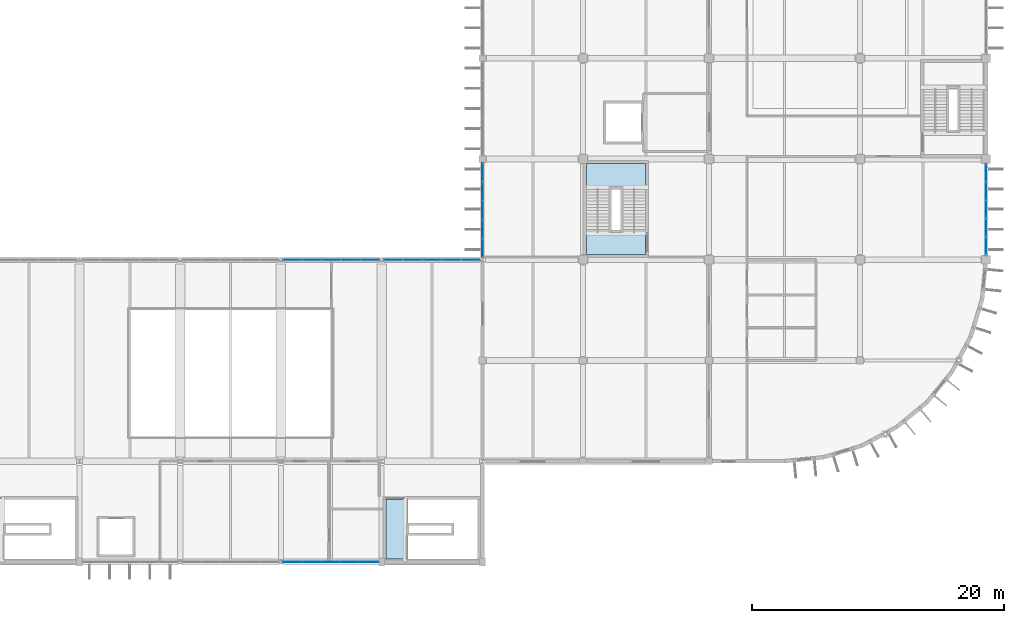
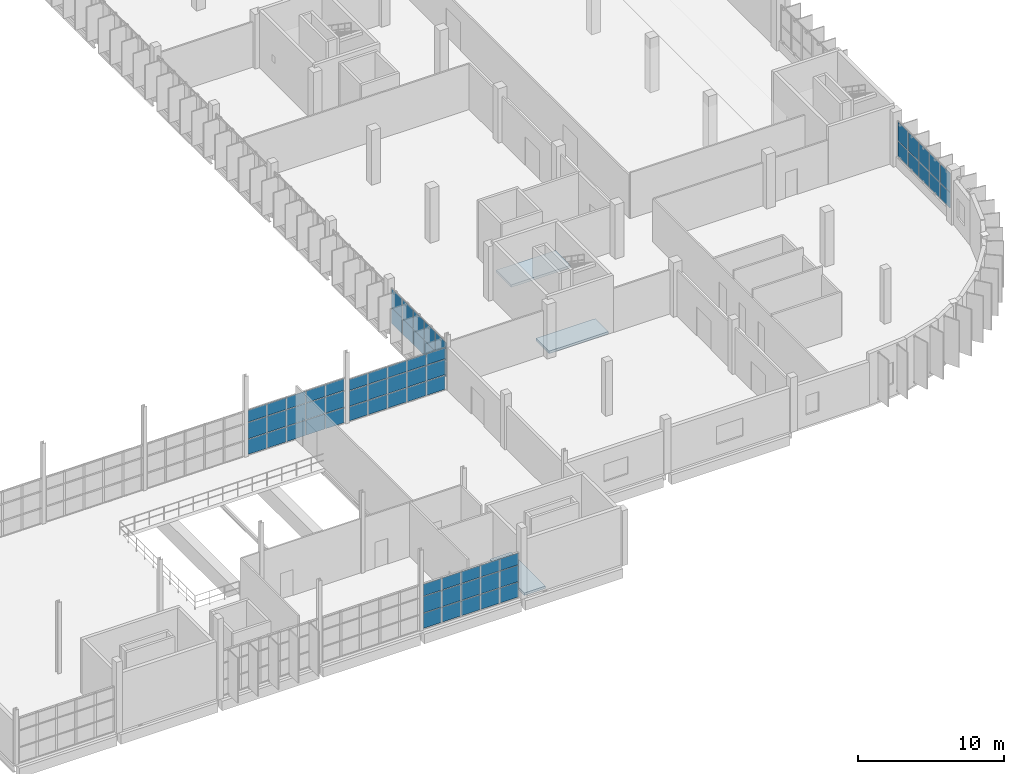
# One storey, part 60 of 93: 65 plates, 3 slabs, 6 elements without a shape of their own.
"""IFC4 building model written with IfcOpenShell, lengths in metres."""

from ifc_helpers import new_model, si_unit, direction, frame, origin, origin_2d, place, context, subcontext, project, spatial, polyline, rectangle, outline, extrude, material, layer, layer_set, type_object, element, aggregate, save


model = new_model("IFC4")

# Units and contexts
model_context = context("Model", 3, precision=1e-05, world=origin(), true_north=direction((0.0, 1.0)))
body_context = subcontext(model_context, "Body", "Model", "MODEL_VIEW")
ifc_project = project(units=[si_unit("LENGTHUNIT", "METRE"), si_unit("AREAUNIT", "SQUARE_METRE"), si_unit("VOLUMEUNIT", "CUBIC_METRE"), si_unit("PLANEANGLEUNIT", "RADIAN"), si_unit("MASSUNIT", "GRAM", prefix="KILO")], contexts=[model_context])

# Site, building, storey
site_placement = place(None, origin())
site = spatial("IfcSite", under=ifc_project, at=site_placement, CompositionType="ELEMENT")
building_placement = place(site_placement, origin())
building = spatial("IfcBuilding", under=site, at=building_placement, Name="Drelvana Railside Aquatics Centre", CompositionType="ELEMENT")
storey_placement = place(building_placement, frame((0.0, 0.0, 5.39990234375)))
storey = spatial("IfcBuildingStorey", under=building, at=storey_placement, Name="L01", CompositionType="ELEMENT", Elevation=5.39990234375)

# Curtain wall, plates
ifc_material_1 = material(Name="Bronze-anodised aluminium curtain wall", Category="aluminium")
ifc_layer_1 = layer(ifc_material_1, 0.18994140625, Name="Bronze-anodised aluminium curtain wall")
ifc_layer_set_1 = layer_set([ifc_layer_1], Name="Bronze-anodised aluminium curtain wall")
curtain_wall_type_1 = type_object("IfcCurtainWallType", Name="CW-Z4-FOYER", PredefinedType="NOTDEFINED", material=ifc_layer_set_1)
curtain_wall_1_placement = place(storey_placement, origin())
curtain_wall_1 = element("IfcCurtainWall", 1, at=curtain_wall_1_placement, inside=storey, type_object=curtain_wall_type_1, Name="Curtain wall CW-04-110", PredefinedType="NOTDEFINED")
ifc_material_2 = material(Name="Double-glazed low-e solar-control glass", Category="glass")
ifc_layer_2 = layer(ifc_material_2, 0.030029296875, Name="Double-glazed low-e solar-control glass")
ifc_layer_set_2 = layer_set([ifc_layer_2], Name="Double-glazed low-e solar-control glass")
plate_type_1 = type_object("IfcPlateType", Name="CW-Z4-FOYER-PAN", PredefinedType="CURTAIN_PANEL", material=ifc_layer_set_2)
plate_1_placement = place(storey_placement, frame((128.9150390625, 0.0, 0.05419921875), z_axis=(0.0, 0.0, 1.0), x_axis=(1.0, 0.0, 0.0)))
plate_1 = element("IfcPlate", 2, at=plate_1_placement, type_object=plate_type_1, Name="CW-04 panel 1.1", PredefinedType="CURTAIN_PANEL", context=body_context, shape_type="SweptSolid", body=[
    extrude(rectangle(XDim=1.44189453125, YDim=0.030029296875, at=origin_2d()), origin(), (0.0, 0.0, 1.0), 1.244384765625),
])
plate_2_placement = place(storey_placement, frame((128.9150390625, 0.0, 1.353515625), z_axis=(0.0, 0.0, 1.0), x_axis=(1.0, 0.0, 0.0)))
plate_2 = element("IfcPlate", 3, at=plate_2_placement, type_object=plate_type_1, Name="CW-04 panel 1.2", PredefinedType="CURTAIN_PANEL", context=body_context, shape_type="SweptSolid", body=[
    extrude(rectangle(XDim=1.44189453125, YDim=0.030029296875, at=origin_2d()), origin(), (0.0, 0.0, 1.0), 1.35302734375),
])
plate_3_placement = place(storey_placement, frame((128.9150390625, 0.0, 2.761474609375), z_axis=(0.0, 0.0, 1.0), x_axis=(1.0, 0.0, 0.0)))
plate_3 = element("IfcPlate", 4, at=plate_3_placement, type_object=plate_type_1, Name="CW-04 panel 1.3", PredefinedType="CURTAIN_PANEL", context=body_context, shape_type="SweptSolid", body=[
    extrude(rectangle(XDim=1.44189453125, YDim=0.030029296875, at=origin_2d()), origin(), (0.0, 0.0, 1.0), 0.978515625),
])
plate_4_placement = place(storey_placement, frame((130.427978515625, 0.0, 0.05419921875), z_axis=(0.0, 0.0, 1.0), x_axis=(1.0, 0.0, 0.0)))
plate_4 = element("IfcPlate", 5, at=plate_4_placement, type_object=plate_type_1, Name="CW-04 panel 2.1", PredefinedType="CURTAIN_PANEL", context=body_context, shape_type="SweptSolid", body=[
    extrude(rectangle(XDim=1.474365234375, YDim=0.030029296875, at=origin_2d()), origin(), (0.0, 0.0, 1.0), 1.244384765625),
])
plate_5_placement = place(storey_placement, frame((130.427978515625, 0.0, 1.353515625), z_axis=(0.0, 0.0, 1.0), x_axis=(1.0, 0.0, 0.0)))
plate_5 = element("IfcPlate", 6, at=plate_5_placement, type_object=plate_type_1, Name="CW-04 panel 2.2", PredefinedType="CURTAIN_PANEL", context=body_context, shape_type="SweptSolid", body=[
    extrude(rectangle(XDim=1.474365234375, YDim=0.030029296875, at=origin_2d()), origin(), (0.0, 0.0, 1.0), 1.35302734375),
])
plate_6_placement = place(storey_placement, frame((130.427978515625, 0.0, 2.761474609375), z_axis=(0.0, 0.0, 1.0), x_axis=(1.0, 0.0, 0.0)))
plate_6 = element("IfcPlate", 7, at=plate_6_placement, type_object=plate_type_1, Name="CW-04 panel 2.3", PredefinedType="CURTAIN_PANEL", context=body_context, shape_type="SweptSolid", body=[
    extrude(rectangle(XDim=1.474365234375, YDim=0.030029296875, at=origin_2d()), origin(), (0.0, 0.0, 1.0), 0.978515625),
])
plate_7_placement = place(storey_placement, frame((131.95751953125, 0.0, 0.05419921875), z_axis=(0.0, 0.0, 1.0), x_axis=(1.0, 0.0, 0.0)))
plate_7 = element("IfcPlate", 8, at=plate_7_placement, type_object=plate_type_1, Name="CW-04 panel 3.1", PredefinedType="CURTAIN_PANEL", context=body_context, shape_type="SweptSolid", body=[
    extrude(rectangle(XDim=1.474365234375, YDim=0.030029296875, at=origin_2d()), origin(), (0.0, 0.0, 1.0), 1.244384765625),
])
plate_8_placement = place(storey_placement, frame((131.95751953125, 0.0, 1.353515625), z_axis=(0.0, 0.0, 1.0), x_axis=(1.0, 0.0, 0.0)))
plate_8 = element("IfcPlate", 9, at=plate_8_placement, type_object=plate_type_1, Name="CW-04 panel 3.2", PredefinedType="CURTAIN_PANEL", context=body_context, shape_type="SweptSolid", body=[
    extrude(rectangle(XDim=1.474365234375, YDim=0.030029296875, at=origin_2d()), origin(), (0.0, 0.0, 1.0), 1.35302734375),
])
plate_9_placement = place(storey_placement, frame((131.95751953125, 0.0, 2.761474609375), z_axis=(0.0, 0.0, 1.0), x_axis=(1.0, 0.0, 0.0)))
plate_9 = element("IfcPlate", 10, at=plate_9_placement, type_object=plate_type_1, Name="CW-04 panel 3.3", PredefinedType="CURTAIN_PANEL", context=body_context, shape_type="SweptSolid", body=[
    extrude(rectangle(XDim=1.474365234375, YDim=0.030029296875, at=origin_2d()), origin(), (0.0, 0.0, 1.0), 0.978515625),
])
plate_10_placement = place(storey_placement, frame((133.48681640625, 0.0, 0.05419921875), z_axis=(0.0, 0.0, 1.0), x_axis=(1.0, 0.0, 0.0)))
plate_10 = element("IfcPlate", 11, at=plate_10_placement, type_object=plate_type_1, Name="CW-04 panel 4.1", PredefinedType="CURTAIN_PANEL", context=body_context, shape_type="SweptSolid", body=[
    extrude(rectangle(XDim=1.474365234375, YDim=0.030029296875, at=origin_2d()), origin(), (0.0, 0.0, 1.0), 1.244384765625),
])
plate_11_placement = place(storey_placement, frame((133.48681640625, 0.0, 1.353515625), z_axis=(0.0, 0.0, 1.0), x_axis=(1.0, 0.0, 0.0)))
plate_11 = element("IfcPlate", 12, at=plate_11_placement, type_object=plate_type_1, Name="CW-04 panel 4.2", PredefinedType="CURTAIN_PANEL", context=body_context, shape_type="SweptSolid", body=[
    extrude(rectangle(XDim=1.474365234375, YDim=0.030029296875, at=origin_2d()), origin(), (0.0, 0.0, 1.0), 1.35302734375),
])
plate_12_placement = place(storey_placement, frame((133.48681640625, 0.0, 2.761474609375), z_axis=(0.0, 0.0, 1.0), x_axis=(1.0, 0.0, 0.0)))
plate_12 = element("IfcPlate", 13, at=plate_12_placement, type_object=plate_type_1, Name="CW-04 panel 4.3", PredefinedType="CURTAIN_PANEL", context=body_context, shape_type="SweptSolid", body=[
    extrude(rectangle(XDim=1.474365234375, YDim=0.030029296875, at=origin_2d()), origin(), (0.0, 0.0, 1.0), 0.978515625),
])
plate_13_placement = place(storey_placement, frame((135.0, 0.0, 0.05419921875), z_axis=(0.0, 0.0, 1.0), x_axis=(1.0, 0.0, 0.0)))
plate_13 = element("IfcPlate", 14, at=plate_13_placement, type_object=plate_type_1, Name="CW-04 panel 5.1", PredefinedType="CURTAIN_PANEL", context=body_context, shape_type="SweptSolid", body=[
    extrude(rectangle(XDim=1.44189453125, YDim=0.030029296875, at=origin_2d()), origin(), (0.0, 0.0, 1.0), 1.244384765625),
])
plate_14_placement = place(storey_placement, frame((135.0, 0.0, 1.353515625), z_axis=(0.0, 0.0, 1.0), x_axis=(1.0, 0.0, 0.0)))
plate_14 = element("IfcPlate", 15, at=plate_14_placement, type_object=plate_type_1, Name="CW-04 panel 5.2", PredefinedType="CURTAIN_PANEL", context=body_context, shape_type="SweptSolid", body=[
    extrude(rectangle(XDim=1.44189453125, YDim=0.030029296875, at=origin_2d()), origin(), (0.0, 0.0, 1.0), 1.35302734375),
])
plate_15_placement = place(storey_placement, frame((135.0, 0.0, 2.761474609375), z_axis=(0.0, 0.0, 1.0), x_axis=(1.0, 0.0, 0.0)))
plate_15 = element("IfcPlate", 16, at=plate_15_placement, type_object=plate_type_1, Name="CW-04 panel 5.3", PredefinedType="CURTAIN_PANEL", context=body_context, shape_type="SweptSolid", body=[
    extrude(rectangle(XDim=1.44189453125, YDim=0.030029296875, at=origin_2d()), origin(), (0.0, 0.0, 1.0), 0.978515625),
])
aggregate(curtain_wall_1, [plate_1, plate_2, plate_3, plate_4, plate_5, plate_6, plate_7, plate_8, plate_9, plate_10, plate_11, plate_12, plate_13, plate_14, plate_15])

ifc_layer_3 = layer(ifc_material_1, 0.1650390625, Name="Bronze-anodised aluminium curtain wall")
ifc_layer_set_3 = layer_set([ifc_layer_3], Name="Bronze-anodised aluminium curtain wall")
curtain_wall_type_2 = type_object("IfcCurtainWallType", Name="CW-Z5-COURT", PredefinedType="NOTDEFINED", material=ifc_layer_set_3)
curtain_wall_2_placement = place(storey_placement, origin())
curtain_wall_2 = element("IfcCurtainWall", 17, at=curtain_wall_2_placement, inside=storey, type_object=curtain_wall_type_2, Name="Curtain wall CW-05-112", PredefinedType="NOTDEFINED")
ifc_layer_4 = layer(ifc_material_2, 0.02587890625, Name="Double-glazed low-e solar-control glass")
ifc_layer_set_4 = layer_set([ifc_layer_4], Name="Double-glazed low-e solar-control glass")
plate_type_2 = type_object("IfcPlateType", Name="CW-Z5-COURT-PAN", PredefinedType="CURTAIN_PANEL", material=ifc_layer_set_4)
plate_16_placement = place(storey_placement, frame((128.93017578125, 24.0, 0.049072265625), z_axis=(0.0, 0.0, 1.0), x_axis=(1.0, 0.0, 0.0)))
plate_16 = element("IfcPlate", 18, at=plate_16_placement, type_object=plate_type_2, Name="CW-05 panel 1.1", PredefinedType="CURTAIN_PANEL", context=body_context, shape_type="SweptSolid", body=[
    extrude(rectangle(XDim=1.46240234375, YDim=0.02587890625, at=origin_2d()), origin(), (0.0, 0.0, 1.0), 1.251953125),
])
plate_17_placement = place(storey_placement, frame((128.93017578125, 24.0, 1.35107421875), z_axis=(0.0, 0.0, 1.0), x_axis=(1.0, 0.0, 0.0)))
plate_17 = element("IfcPlate", 19, at=plate_17_placement, type_object=plate_type_2, Name="CW-05 panel 1.2", PredefinedType="CURTAIN_PANEL", context=body_context, shape_type="SweptSolid", body=[
    extrude(rectangle(XDim=1.46240234375, YDim=0.02587890625, at=origin_2d()), origin(), (0.0, 0.0, 1.0), 1.35791015625),
])
plate_18_placement = place(storey_placement, frame((128.93017578125, 24.0, 2.75927734375), z_axis=(0.0, 0.0, 1.0), x_axis=(1.0, 0.0, 0.0)))
plate_18 = element("IfcPlate", 20, at=plate_18_placement, type_object=plate_type_2, Name="CW-05 panel 1.3", PredefinedType="CURTAIN_PANEL", context=body_context, shape_type="SweptSolid", body=[
    extrude(rectangle(XDim=1.46240234375, YDim=0.02587890625, at=origin_2d()), origin(), (0.0, 0.0, 1.0), 0.986083984375),
])
plate_19_placement = place(storey_placement, frame((130.45751953125, 24.0, 0.049072265625), z_axis=(0.0, 0.0, 1.0), x_axis=(1.0, 0.0, 0.0)))
plate_19 = element("IfcPlate", 21, at=plate_19_placement, type_object=plate_type_2, Name="CW-05 panel 2.1", PredefinedType="CURTAIN_PANEL", context=body_context, shape_type="SweptSolid", body=[
    extrude(rectangle(XDim=1.492431640625, YDim=0.02587890625, at=origin_2d()), origin(), (0.0, 0.0, 1.0), 1.251953125),
])
plate_20_placement = place(storey_placement, frame((130.45751953125, 24.0, 1.35107421875), z_axis=(0.0, 0.0, 1.0), x_axis=(1.0, 0.0, 0.0)))
plate_20 = element("IfcPlate", 22, at=plate_20_placement, type_object=plate_type_2, Name="CW-05 panel 2.2", PredefinedType="CURTAIN_PANEL", context=body_context, shape_type="SweptSolid", body=[
    extrude(rectangle(XDim=1.492431640625, YDim=0.02587890625, at=origin_2d()), origin(), (0.0, 0.0, 1.0), 1.35791015625),
])
plate_21_placement = place(storey_placement, frame((130.45751953125, 24.0, 2.75927734375), z_axis=(0.0, 0.0, 1.0), x_axis=(1.0, 0.0, 0.0)))
plate_21 = element("IfcPlate", 23, at=plate_21_placement, type_object=plate_type_2, Name="CW-05 panel 2.3", PredefinedType="CURTAIN_PANEL", context=body_context, shape_type="SweptSolid", body=[
    extrude(rectangle(XDim=1.492431640625, YDim=0.02587890625, at=origin_2d()), origin(), (0.0, 0.0, 1.0), 0.986083984375),
])
plate_22_placement = place(storey_placement, frame((132.0, 24.0, 0.049072265625), z_axis=(0.0, 0.0, 1.0), x_axis=(1.0, 0.0, 0.0)))
plate_22 = element("IfcPlate", 24, at=plate_22_placement, type_object=plate_type_2, Name="CW-05 panel 3.1", PredefinedType="CURTAIN_PANEL", context=body_context, shape_type="SweptSolid", body=[
    extrude(rectangle(XDim=1.492431640625, YDim=0.02587890625, at=origin_2d()), origin(), (0.0, 0.0, 1.0), 1.251953125),
])
plate_23_placement = place(storey_placement, frame((132.0, 24.0, 1.35107421875), z_axis=(0.0, 0.0, 1.0), x_axis=(1.0, 0.0, 0.0)))
plate_23 = element("IfcPlate", 25, at=plate_23_placement, type_object=plate_type_2, Name="CW-05 panel 3.2", PredefinedType="CURTAIN_PANEL", context=body_context, shape_type="SweptSolid", body=[
    extrude(rectangle(XDim=1.492431640625, YDim=0.02587890625, at=origin_2d()), origin(), (0.0, 0.0, 1.0), 1.35791015625),
])
plate_24_placement = place(storey_placement, frame((132.0, 24.0, 2.75927734375), z_axis=(0.0, 0.0, 1.0), x_axis=(1.0, 0.0, 0.0)))
plate_24 = element("IfcPlate", 26, at=plate_24_placement, type_object=plate_type_2, Name="CW-05 panel 3.3", PredefinedType="CURTAIN_PANEL", context=body_context, shape_type="SweptSolid", body=[
    extrude(rectangle(XDim=1.492431640625, YDim=0.02587890625, at=origin_2d()), origin(), (0.0, 0.0, 1.0), 0.986083984375),
])
plate_25_placement = place(storey_placement, frame((133.54248046875, 24.0, 0.049072265625), z_axis=(0.0, 0.0, 1.0), x_axis=(1.0, 0.0, 0.0)))
plate_25 = element("IfcPlate", 27, at=plate_25_placement, type_object=plate_type_2, Name="CW-05 panel 4.1", PredefinedType="CURTAIN_PANEL", context=body_context, shape_type="SweptSolid", body=[
    extrude(rectangle(XDim=1.492431640625, YDim=0.02587890625, at=origin_2d()), origin(), (0.0, 0.0, 1.0), 1.251953125),
])
plate_26_placement = place(storey_placement, frame((133.54248046875, 24.0, 1.35107421875), z_axis=(0.0, 0.0, 1.0), x_axis=(1.0, 0.0, 0.0)))
plate_26 = element("IfcPlate", 28, at=plate_26_placement, type_object=plate_type_2, Name="CW-05 panel 4.2", PredefinedType="CURTAIN_PANEL", context=body_context, shape_type="SweptSolid", body=[
    extrude(rectangle(XDim=1.492431640625, YDim=0.02587890625, at=origin_2d()), origin(), (0.0, 0.0, 1.0), 1.35791015625),
])
plate_27_placement = place(storey_placement, frame((133.54248046875, 24.0, 2.75927734375), z_axis=(0.0, 0.0, 1.0), x_axis=(1.0, 0.0, 0.0)))
plate_27 = element("IfcPlate", 29, at=plate_27_placement, type_object=plate_type_2, Name="CW-05 panel 4.3", PredefinedType="CURTAIN_PANEL", context=body_context, shape_type="SweptSolid", body=[
    extrude(rectangle(XDim=1.492431640625, YDim=0.02587890625, at=origin_2d()), origin(), (0.0, 0.0, 1.0), 0.986083984375),
])
plate_28_placement = place(storey_placement, frame((135.06982421875, 24.0, 0.049072265625), z_axis=(0.0, 0.0, 1.0), x_axis=(1.0, 0.0, 0.0)))
plate_28 = element("IfcPlate", 30, at=plate_28_placement, type_object=plate_type_2, Name="CW-05 panel 5.1", PredefinedType="CURTAIN_PANEL", context=body_context, shape_type="SweptSolid", body=[
    extrude(rectangle(XDim=1.46240234375, YDim=0.02587890625, at=origin_2d()), origin(), (0.0, 0.0, 1.0), 1.251953125),
])
plate_29_placement = place(storey_placement, frame((135.06982421875, 24.0, 1.35107421875), z_axis=(0.0, 0.0, 1.0), x_axis=(1.0, 0.0, 0.0)))
plate_29 = element("IfcPlate", 31, at=plate_29_placement, type_object=plate_type_2, Name="CW-05 panel 5.2", PredefinedType="CURTAIN_PANEL", context=body_context, shape_type="SweptSolid", body=[
    extrude(rectangle(XDim=1.46240234375, YDim=0.02587890625, at=origin_2d()), origin(), (0.0, 0.0, 1.0), 1.35791015625),
])
plate_30_placement = place(storey_placement, frame((135.06982421875, 24.0, 2.75927734375), z_axis=(0.0, 0.0, 1.0), x_axis=(1.0, 0.0, 0.0)))
plate_30 = element("IfcPlate", 32, at=plate_30_placement, type_object=plate_type_2, Name="CW-05 panel 5.3", PredefinedType="CURTAIN_PANEL", context=body_context, shape_type="SweptSolid", body=[
    extrude(rectangle(XDim=1.46240234375, YDim=0.02587890625, at=origin_2d()), origin(), (0.0, 0.0, 1.0), 0.986083984375),
])
aggregate(curtain_wall_2, [plate_16, plate_17, plate_18, plate_19, plate_20, plate_21, plate_22, plate_23, plate_24, plate_25, plate_26, plate_27, plate_28, plate_29, plate_30])

curtain_wall_3_placement = place(storey_placement, origin())
curtain_wall_3 = element("IfcCurtainWall", 33, at=curtain_wall_3_placement, inside=storey, type_object=curtain_wall_type_2, Name="Curtain wall CW-05-114", PredefinedType="NOTDEFINED")
plate_31_placement = place(storey_placement, frame((136.93017578125, 24.0, 0.048828125), z_axis=(0.0, 0.0, 1.0), x_axis=(1.0, 0.0, 0.0)))
plate_31 = element("IfcPlate", 34, at=plate_31_placement, type_object=plate_type_2, Name="CW-05 panel 1.1", PredefinedType="CURTAIN_PANEL", context=body_context, shape_type="SweptSolid", body=[
    extrude(rectangle(XDim=1.46240234375, YDim=0.02587890625, at=origin_2d()), origin(), (0.0, 0.0, 1.0), 1.172119140625),
])
plate_32_placement = place(storey_placement, frame((136.93017578125, 24.0, 1.271240234375), z_axis=(0.0, 0.0, 1.0), x_axis=(1.0, 0.0, 0.0)))
plate_32 = element("IfcPlate", 35, at=plate_32_placement, type_object=plate_type_2, Name="CW-05 panel 1.2", PredefinedType="CURTAIN_PANEL", context=body_context, shape_type="SweptSolid", body=[
    extrude(rectangle(XDim=1.46240234375, YDim=0.02587890625, at=origin_2d()), origin(), (0.0, 0.0, 1.0), 1.27294921875),
])
plate_33_placement = place(storey_placement, frame((136.93017578125, 24.0, 2.59423828125), z_axis=(0.0, 0.0, 1.0), x_axis=(1.0, 0.0, 0.0)))
plate_33 = element("IfcPlate", 36, at=plate_33_placement, type_object=plate_type_2, Name="CW-05 panel 1.3", PredefinedType="CURTAIN_PANEL", context=body_context, shape_type="SweptSolid", body=[
    extrude(rectangle(XDim=1.46240234375, YDim=0.02587890625, at=origin_2d()), origin(), (0.0, 0.0, 1.0), 0.9208984375),
])
plate_34_placement = place(storey_placement, frame((138.45751953125, 24.0, 0.048828125), z_axis=(0.0, 0.0, 1.0), x_axis=(1.0, 0.0, 0.0)))
plate_34 = element("IfcPlate", 37, at=plate_34_placement, type_object=plate_type_2, Name="CW-05 panel 2.1", PredefinedType="CURTAIN_PANEL", context=body_context, shape_type="SweptSolid", body=[
    extrude(rectangle(XDim=1.492431640625, YDim=0.02587890625, at=origin_2d()), origin(), (0.0, 0.0, 1.0), 1.172119140625),
])
plate_35_placement = place(storey_placement, frame((138.45751953125, 24.0, 1.271240234375), z_axis=(0.0, 0.0, 1.0), x_axis=(1.0, 0.0, 0.0)))
plate_35 = element("IfcPlate", 38, at=plate_35_placement, type_object=plate_type_2, Name="CW-05 panel 2.2", PredefinedType="CURTAIN_PANEL", context=body_context, shape_type="SweptSolid", body=[
    extrude(rectangle(XDim=1.492431640625, YDim=0.02587890625, at=origin_2d()), origin(), (0.0, 0.0, 1.0), 1.27294921875),
])
plate_36_placement = place(storey_placement, frame((138.45751953125, 24.0, 2.59423828125), z_axis=(0.0, 0.0, 1.0), x_axis=(1.0, 0.0, 0.0)))
plate_36 = element("IfcPlate", 39, at=plate_36_placement, type_object=plate_type_2, Name="CW-05 panel 2.3", PredefinedType="CURTAIN_PANEL", context=body_context, shape_type="SweptSolid", body=[
    extrude(rectangle(XDim=1.492431640625, YDim=0.02587890625, at=origin_2d()), origin(), (0.0, 0.0, 1.0), 0.9208984375),
])
plate_37_placement = place(storey_placement, frame((140.0, 24.0, 0.048828125), z_axis=(0.0, 0.0, 1.0), x_axis=(1.0, 0.0, 0.0)))
plate_37 = element("IfcPlate", 40, at=plate_37_placement, type_object=plate_type_2, Name="CW-05 panel 3.1", PredefinedType="CURTAIN_PANEL", context=body_context, shape_type="SweptSolid", body=[
    extrude(rectangle(XDim=1.492431640625, YDim=0.02587890625, at=origin_2d()), origin(), (0.0, 0.0, 1.0), 1.172119140625),
])
plate_38_placement = place(storey_placement, frame((140.0, 24.0, 1.271240234375), z_axis=(0.0, 0.0, 1.0), x_axis=(1.0, 0.0, 0.0)))
plate_38 = element("IfcPlate", 41, at=plate_38_placement, type_object=plate_type_2, Name="CW-05 panel 3.2", PredefinedType="CURTAIN_PANEL", context=body_context, shape_type="SweptSolid", body=[
    extrude(rectangle(XDim=1.492431640625, YDim=0.02587890625, at=origin_2d()), origin(), (0.0, 0.0, 1.0), 1.27294921875),
])
plate_39_placement = place(storey_placement, frame((140.0, 24.0, 2.59423828125), z_axis=(0.0, 0.0, 1.0), x_axis=(1.0, 0.0, 0.0)))
plate_39 = element("IfcPlate", 42, at=plate_39_placement, type_object=plate_type_2, Name="CW-05 panel 3.3", PredefinedType="CURTAIN_PANEL", context=body_context, shape_type="SweptSolid", body=[
    extrude(rectangle(XDim=1.492431640625, YDim=0.02587890625, at=origin_2d()), origin(), (0.0, 0.0, 1.0), 0.9208984375),
])
plate_40_placement = place(storey_placement, frame((141.54248046875, 24.0, 0.048828125), z_axis=(0.0, 0.0, 1.0), x_axis=(1.0, 0.0, 0.0)))
plate_40 = element("IfcPlate", 43, at=plate_40_placement, type_object=plate_type_2, Name="CW-05 panel 4.1", PredefinedType="CURTAIN_PANEL", context=body_context, shape_type="SweptSolid", body=[
    extrude(rectangle(XDim=1.492431640625, YDim=0.02587890625, at=origin_2d()), origin(), (0.0, 0.0, 1.0), 1.172119140625),
])
plate_41_placement = place(storey_placement, frame((141.54248046875, 24.0, 1.271240234375), z_axis=(0.0, 0.0, 1.0), x_axis=(1.0, 0.0, 0.0)))
plate_41 = element("IfcPlate", 44, at=plate_41_placement, type_object=plate_type_2, Name="CW-05 panel 4.2", PredefinedType="CURTAIN_PANEL", context=body_context, shape_type="SweptSolid", body=[
    extrude(rectangle(XDim=1.492431640625, YDim=0.02587890625, at=origin_2d()), origin(), (0.0, 0.0, 1.0), 1.27294921875),
])
plate_42_placement = place(storey_placement, frame((141.54248046875, 24.0, 2.59423828125), z_axis=(0.0, 0.0, 1.0), x_axis=(1.0, 0.0, 0.0)))
plate_42 = element("IfcPlate", 45, at=plate_42_placement, type_object=plate_type_2, Name="CW-05 panel 4.3", PredefinedType="CURTAIN_PANEL", context=body_context, shape_type="SweptSolid", body=[
    extrude(rectangle(XDim=1.492431640625, YDim=0.02587890625, at=origin_2d()), origin(), (0.0, 0.0, 1.0), 0.9208984375),
])
plate_43_placement = place(storey_placement, frame((143.06982421875, 24.0, 0.048828125), z_axis=(0.0, 0.0, 1.0), x_axis=(1.0, 0.0, 0.0)))
plate_43 = element("IfcPlate", 46, at=plate_43_placement, type_object=plate_type_2, Name="CW-05 panel 5.1", PredefinedType="CURTAIN_PANEL", context=body_context, shape_type="SweptSolid", body=[
    extrude(rectangle(XDim=1.46240234375, YDim=0.02587890625, at=origin_2d()), origin(), (0.0, 0.0, 1.0), 1.172119140625),
])
plate_44_placement = place(storey_placement, frame((143.06982421875, 24.0, 1.271240234375), z_axis=(0.0, 0.0, 1.0), x_axis=(1.0, 0.0, 0.0)))
plate_44 = element("IfcPlate", 47, at=plate_44_placement, type_object=plate_type_2, Name="CW-05 panel 5.2", PredefinedType="CURTAIN_PANEL", context=body_context, shape_type="SweptSolid", body=[
    extrude(rectangle(XDim=1.46240234375, YDim=0.02587890625, at=origin_2d()), origin(), (0.0, 0.0, 1.0), 1.27294921875),
])
plate_45_placement = place(storey_placement, frame((143.06982421875, 24.0, 2.59423828125), z_axis=(0.0, 0.0, 1.0), x_axis=(1.0, 0.0, 0.0)))
plate_45 = element("IfcPlate", 48, at=plate_45_placement, type_object=plate_type_2, Name="CW-05 panel 5.3", PredefinedType="CURTAIN_PANEL", context=body_context, shape_type="SweptSolid", body=[
    extrude(rectangle(XDim=1.46240234375, YDim=0.02587890625, at=origin_2d()), origin(), (0.0, 0.0, 1.0), 0.9208984375),
])
aggregate(curtain_wall_3, [plate_31, plate_32, plate_33, plate_34, plate_35, plate_36, plate_37, plate_38, plate_39, plate_40, plate_41, plate_42, plate_43, plate_44, plate_45])

ifc_layer_5 = layer(ifc_material_1, 0.175048828125, Name="Bronze-anodised aluminium curtain wall")
ifc_layer_set_5 = layer_set([ifc_layer_5], Name="Bronze-anodised aluminium curtain wall")
curtain_wall_type_3 = type_object("IfcCurtainWallType", Name="CW-Z6-WING", PredefinedType="NOTDEFINED", material=ifc_layer_set_5)
curtain_wall_4_placement = place(storey_placement, origin())
curtain_wall_4 = element("IfcCurtainWall", 49, at=curtain_wall_4_placement, inside=storey, type_object=curtain_wall_type_3, Name="Curtain wall CW-06-137", PredefinedType="NOTDEFINED")
ifc_layer_6 = layer(ifc_material_2, 0.02392578125, Name="Double-glazed low-e solar-control glass")
ifc_layer_set_6 = layer_set([ifc_layer_6], Name="Double-glazed low-e solar-control glass")
plate_type_3 = type_object("IfcPlateType", Name="CW-Z6-WING-PAN", PredefinedType="CURTAIN_PANEL", material=ifc_layer_set_6)
plate_46_placement = place(storey_placement, frame((144.0, 24.9189453125, 0.84912109375), z_axis=(0.0, 0.0, 1.0), x_axis=(0.0, 1.0, 0.0)))
plate_46 = element("IfcPlate", 50, at=plate_46_placement, type_object=plate_type_3, Name="CW-06 panel 1.1", PredefinedType="CURTAIN_PANEL", context=body_context, shape_type="SweptSolid", body=[
    extrude(rectangle(XDim=1.429931640625, YDim=0.02392578125, at=origin_2d()), origin(), (0.0, 0.0, 1.0), 1.27294921875),
])
plate_47_placement = place(storey_placement, frame((144.0, 24.9189453125, 2.171875), z_axis=(0.0, 0.0, 1.0), x_axis=(0.0, 1.0, 0.0)))
plate_47 = element("IfcPlate", 51, at=plate_47_placement, type_object=plate_type_3, Name="CW-06 panel 1.2", PredefinedType="CURTAIN_PANEL", context=body_context, shape_type="SweptSolid", body=[
    extrude(rectangle(XDim=1.429931640625, YDim=0.02392578125, at=origin_2d()), origin(), (0.0, 0.0, 1.0), 1.572998046875),
])
plate_48_placement = place(storey_placement, frame((144.0, 26.420166015625, 0.84912109375), z_axis=(0.0, 0.0, 1.0), x_axis=(0.0, 1.0, 0.0)))
plate_48 = element("IfcPlate", 52, at=plate_48_placement, type_object=plate_type_3, Name="CW-06 panel 2.1", PredefinedType="CURTAIN_PANEL", context=body_context, shape_type="SweptSolid", body=[
    extrude(rectangle(XDim=1.46240234375, YDim=0.02392578125, at=origin_2d()), origin(), (0.0, 0.0, 1.0), 1.27294921875),
])
plate_49_placement = place(storey_placement, frame((144.0, 26.420166015625, 2.171875), z_axis=(0.0, 0.0, 1.0), x_axis=(0.0, 1.0, 0.0)))
plate_49 = element("IfcPlate", 53, at=plate_49_placement, type_object=plate_type_3, Name="CW-06 panel 2.2", PredefinedType="CURTAIN_PANEL", context=body_context, shape_type="SweptSolid", body=[
    extrude(rectangle(XDim=1.46240234375, YDim=0.02392578125, at=origin_2d()), origin(), (0.0, 0.0, 1.0), 1.572998046875),
])
plate_50_placement = place(storey_placement, frame((144.0, 27.9375, 0.84912109375), z_axis=(0.0, 0.0, 1.0), x_axis=(0.0, 1.0, 0.0)))
plate_50 = element("IfcPlate", 54, at=plate_50_placement, type_object=plate_type_3, Name="CW-06 panel 3.1", PredefinedType="CURTAIN_PANEL", context=body_context, shape_type="SweptSolid", body=[
    extrude(rectangle(XDim=1.46240234375, YDim=0.02392578125, at=origin_2d()), origin(), (0.0, 0.0, 1.0), 1.27294921875),
])
plate_51_placement = place(storey_placement, frame((144.0, 27.9375, 2.171875), z_axis=(0.0, 0.0, 1.0), x_axis=(0.0, 1.0, 0.0)))
plate_51 = element("IfcPlate", 55, at=plate_51_placement, type_object=plate_type_3, Name="CW-06 panel 3.2", PredefinedType="CURTAIN_PANEL", context=body_context, shape_type="SweptSolid", body=[
    extrude(rectangle(XDim=1.46240234375, YDim=0.02392578125, at=origin_2d()), origin(), (0.0, 0.0, 1.0), 1.572998046875),
])
plate_52_placement = place(storey_placement, frame((144.0, 29.454833984375, 0.84912109375), z_axis=(0.0, 0.0, 1.0), x_axis=(0.0, 1.0, 0.0)))
plate_52 = element("IfcPlate", 56, at=plate_52_placement, type_object=plate_type_3, Name="CW-06 panel 4.1", PredefinedType="CURTAIN_PANEL", context=body_context, shape_type="SweptSolid", body=[
    extrude(rectangle(XDim=1.46240234375, YDim=0.02392578125, at=origin_2d()), origin(), (0.0, 0.0, 1.0), 1.27294921875),
])
plate_53_placement = place(storey_placement, frame((144.0, 29.454833984375, 2.171875), z_axis=(0.0, 0.0, 1.0), x_axis=(0.0, 1.0, 0.0)))
plate_53 = element("IfcPlate", 57, at=plate_53_placement, type_object=plate_type_3, Name="CW-06 panel 4.2", PredefinedType="CURTAIN_PANEL", context=body_context, shape_type="SweptSolid", body=[
    extrude(rectangle(XDim=1.46240234375, YDim=0.02392578125, at=origin_2d()), origin(), (0.0, 0.0, 1.0), 1.572998046875),
])
plate_54_placement = place(storey_placement, frame((144.0, 30.9560546875, 0.84912109375), z_axis=(0.0, 0.0, 1.0), x_axis=(0.0, 1.0, 0.0)))
plate_54 = element("IfcPlate", 58, at=plate_54_placement, type_object=plate_type_3, Name="CW-06 panel 5.1", PredefinedType="CURTAIN_PANEL", context=body_context, shape_type="SweptSolid", body=[
    extrude(rectangle(XDim=1.429931640625, YDim=0.02392578125, at=origin_2d()), origin(), (0.0, 0.0, 1.0), 1.27294921875),
])
plate_55_placement = place(storey_placement, frame((144.0, 30.9560546875, 2.171875), z_axis=(0.0, 0.0, 1.0), x_axis=(0.0, 1.0, 0.0)))
plate_55 = element("IfcPlate", 59, at=plate_55_placement, type_object=plate_type_3, Name="CW-06 panel 5.2", PredefinedType="CURTAIN_PANEL", context=body_context, shape_type="SweptSolid", body=[
    extrude(rectangle(XDim=1.429931640625, YDim=0.02392578125, at=origin_2d()), origin(), (0.0, 0.0, 1.0), 1.572998046875),
])
aggregate(curtain_wall_4, [plate_46, plate_47, plate_48, plate_49, plate_50, plate_51, plate_52, plate_53, plate_54, plate_55])

curtain_wall_5_placement = place(storey_placement, origin())
curtain_wall_5 = element("IfcCurtainWall", 60, at=curtain_wall_5_placement, inside=storey, type_object=curtain_wall_type_3, Name="Curtain wall CW-06-167", PredefinedType="NOTDEFINED")
plate_56_placement = place(storey_placement, frame((184.0, 25.091552734375, 0.84912109375), z_axis=(0.0, 0.0, 1.0), x_axis=(0.0, 1.0, 0.0)))
plate_56 = element("IfcPlate", 61, at=plate_56_placement, type_object=plate_type_3, Name="CW-06 panel 1.1", PredefinedType="CURTAIN_PANEL", context=body_context, shape_type="SweptSolid", body=[
    extrude(rectangle(XDim=1.375, YDim=0.02392578125, at=origin_2d()), origin(), (0.0, 0.0, 1.0), 1.27294921875),
])
plate_57_placement = place(storey_placement, frame((184.0, 25.091552734375, 2.171875), z_axis=(0.0, 0.0, 1.0), x_axis=(0.0, 1.0, 0.0)))
plate_57 = element("IfcPlate", 62, at=plate_57_placement, type_object=plate_type_3, Name="CW-06 panel 1.2", PredefinedType="CURTAIN_PANEL", context=body_context, shape_type="SweptSolid", body=[
    extrude(rectangle(XDim=1.375, YDim=0.02392578125, at=origin_2d()), origin(), (0.0, 0.0, 1.0), 1.572998046875),
])
plate_58_placement = place(storey_placement, frame((184.0, 26.53759765625, 0.84912109375), z_axis=(0.0, 0.0, 1.0), x_axis=(0.0, 1.0, 0.0)))
plate_58 = element("IfcPlate", 63, at=plate_58_placement, type_object=plate_type_3, Name="CW-06 panel 2.1", PredefinedType="CURTAIN_PANEL", context=body_context, shape_type="SweptSolid", body=[
    extrude(rectangle(XDim=1.407470703125, YDim=0.02392578125, at=origin_2d()), origin(), (0.0, 0.0, 1.0), 1.27294921875),
])
plate_59_placement = place(storey_placement, frame((184.0, 26.53759765625, 2.171875), z_axis=(0.0, 0.0, 1.0), x_axis=(0.0, 1.0, 0.0)))
plate_59 = element("IfcPlate", 64, at=plate_59_placement, type_object=plate_type_3, Name="CW-06 panel 2.2", PredefinedType="CURTAIN_PANEL", context=body_context, shape_type="SweptSolid", body=[
    extrude(rectangle(XDim=1.407470703125, YDim=0.02392578125, at=origin_2d()), origin(), (0.0, 0.0, 1.0), 1.572998046875),
])
plate_60_placement = place(storey_placement, frame((184.0, 28.0, 0.84912109375), z_axis=(0.0, 0.0, 1.0), x_axis=(0.0, 1.0, 0.0)))
plate_60 = element("IfcPlate", 65, at=plate_60_placement, type_object=plate_type_3, Name="CW-06 panel 3.1", PredefinedType="CURTAIN_PANEL", context=body_context, shape_type="SweptSolid", body=[
    extrude(rectangle(XDim=1.407470703125, YDim=0.02392578125, at=origin_2d()), origin(), (0.0, 0.0, 1.0), 1.27294921875),
])
plate_61_placement = place(storey_placement, frame((184.0, 28.0, 2.171875), z_axis=(0.0, 0.0, 1.0), x_axis=(0.0, 1.0, 0.0)))
plate_61 = element("IfcPlate", 66, at=plate_61_placement, type_object=plate_type_3, Name="CW-06 panel 3.2", PredefinedType="CURTAIN_PANEL", context=body_context, shape_type="SweptSolid", body=[
    extrude(rectangle(XDim=1.407470703125, YDim=0.02392578125, at=origin_2d()), origin(), (0.0, 0.0, 1.0), 1.572998046875),
])
plate_62_placement = place(storey_placement, frame((184.0, 29.46240234375, 0.84912109375), z_axis=(0.0, 0.0, 1.0), x_axis=(0.0, 1.0, 0.0)))
plate_62 = element("IfcPlate", 67, at=plate_62_placement, type_object=plate_type_3, Name="CW-06 panel 4.1", PredefinedType="CURTAIN_PANEL", context=body_context, shape_type="SweptSolid", body=[
    extrude(rectangle(XDim=1.407470703125, YDim=0.02392578125, at=origin_2d()), origin(), (0.0, 0.0, 1.0), 1.27294921875),
])
plate_63_placement = place(storey_placement, frame((184.0, 29.46240234375, 2.171875), z_axis=(0.0, 0.0, 1.0), x_axis=(0.0, 1.0, 0.0)))
plate_63 = element("IfcPlate", 68, at=plate_63_placement, type_object=plate_type_3, Name="CW-06 panel 4.2", PredefinedType="CURTAIN_PANEL", context=body_context, shape_type="SweptSolid", body=[
    extrude(rectangle(XDim=1.407470703125, YDim=0.02392578125, at=origin_2d()), origin(), (0.0, 0.0, 1.0), 1.572998046875),
])
plate_64_placement = place(storey_placement, frame((184.0, 30.908447265625, 0.84912109375), z_axis=(0.0, 0.0, 1.0), x_axis=(0.0, 1.0, 0.0)))
plate_64 = element("IfcPlate", 69, at=plate_64_placement, type_object=plate_type_3, Name="CW-06 panel 5.1", PredefinedType="CURTAIN_PANEL", context=body_context, shape_type="SweptSolid", body=[
    extrude(rectangle(XDim=1.375, YDim=0.02392578125, at=origin_2d()), origin(), (0.0, 0.0, 1.0), 1.27294921875),
])
plate_65_placement = place(storey_placement, frame((184.0, 30.908447265625, 2.171875), z_axis=(0.0, 0.0, 1.0), x_axis=(0.0, 1.0, 0.0)))
plate_65 = element("IfcPlate", 70, at=plate_65_placement, type_object=plate_type_3, Name="CW-06 panel 5.2", PredefinedType="CURTAIN_PANEL", context=body_context, shape_type="SweptSolid", body=[
    extrude(rectangle(XDim=1.375, YDim=0.02392578125, at=origin_2d()), origin(), (0.0, 0.0, 1.0), 1.572998046875),
])
aggregate(curtain_wall_5, [plate_56, plate_57, plate_58, plate_59, plate_60, plate_61, plate_62, plate_63, plate_64, plate_65])

# Slab
ifc_material_3 = material(Name="Concrete C40/50", Category="concrete")
ifc_layer_7 = layer(ifc_material_3, 0.199951171875, Name="Concrete C40/50")
ifc_layer_set_7 = layer_set([ifc_layer_7], Name="Concrete C40/50")
slab_type = type_object("IfcSlabType", Name="SL-LAND-200", PredefinedType="LANDING", material=ifc_layer_set_7)
slab_1_placement = place(storey_placement, frame((0.0, 0.0, -0.199951171875)))
element("IfcSlab", 71, at=slab_1_placement, inside=storey, type_object=slab_type, Name="Stair ST-06 L01 floor landing", PredefinedType="LANDING", context=body_context, shape_type="SweptSolid", body=[
    extrude(outline(polyline([(152.25, 24.409912109375), (156.949951171875, 24.409912109375), (156.949951171875, 26.2099609375), (152.25, 26.2099609375), (152.25, 24.409912109375)])), origin(), (0.0, 0.0, 1.0), 0.199951171875),
])

# Stair, slab
stair_type = type_object("IfcStairType", Name="ST-CORE-W160", PredefinedType="HALF_TURN_STAIR", material=ifc_material_3)
stair_placement = place(storey_placement, origin())
stair = element("IfcStair", 72, at=stair_placement, inside=storey, type_object=stair_type, Name="Exit stair ST-06 (L01 to L02)", PredefinedType="HALF_TURN_STAIR")
slab_2_placement = place(storey_placement, frame((0.0, 0.0, 2.2001953125)))
slab_2 = element("IfcSlab", 73, at=slab_2_placement, type_object=slab_type, Name="ST-NR landing 1", PredefinedType="LANDING", context=body_context, shape_type="SweptSolid", body=[
    extrude(outline(polyline([(152.25, 29.590087890625), (156.949951171875, 29.590087890625), (156.949951171875, 31.64990234375), (152.25, 31.64990234375), (152.25, 29.590087890625)])), origin(), (0.0, 0.0, 1.0), 0.199951171875),
])
aggregate(stair, [slab_2])

# Slab
slab_3_placement = place(storey_placement, frame((0.0, 0.0, -0.199951171875)))
element("IfcSlab", 74, at=slab_3_placement, inside=storey, type_object=slab_type, Name="Stair ST-10 L01 floor landing", PredefinedType="LANDING", context=body_context, shape_type="SweptSolid", body=[
    extrude(outline(polyline([(136.35009765625, 0.25), (138.030029296875, 0.25), (138.030029296875, 4.949951171875), (136.35009765625, 4.949951171875), (136.35009765625, 0.25)])), origin(), (0.0, 0.0, 1.0), 0.199951171875),
])

save(model, "model.ifc")
